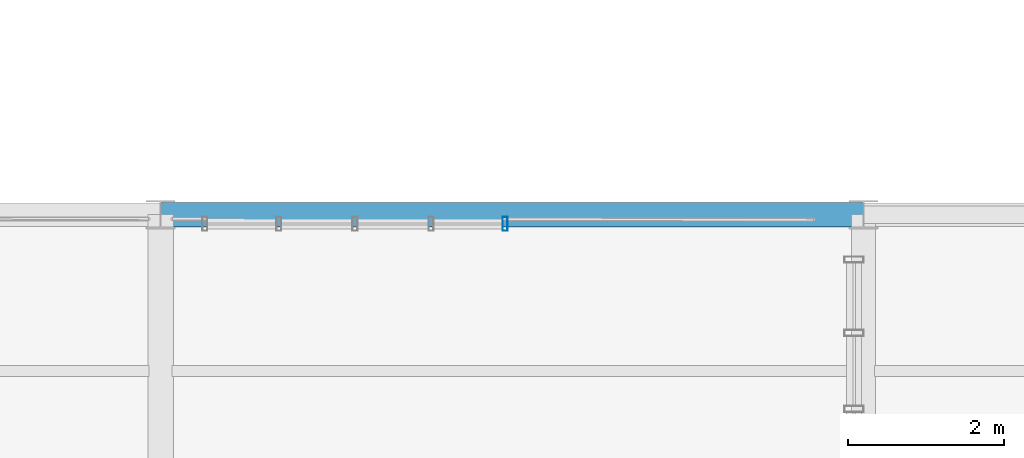
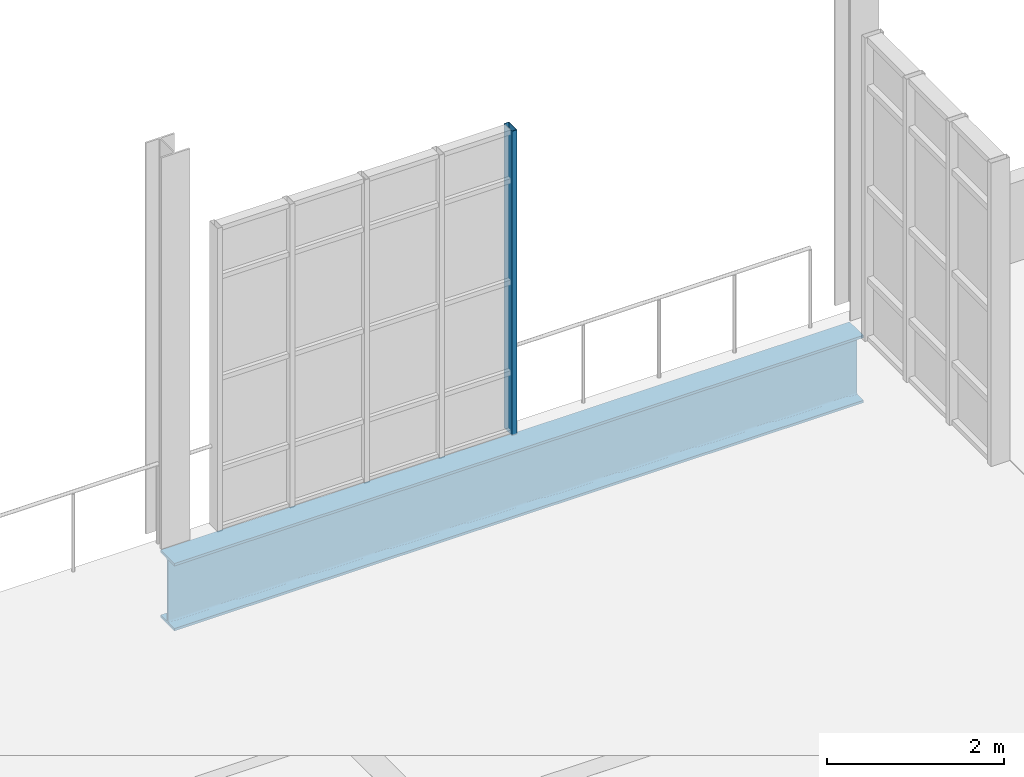
# One storey, part 85 of 142: 1 beam, 1 member, 1 element without a shape of its own.
"""IFC4 building model written with IfcOpenShell, lengths in metres."""

from ifc_helpers import new_model, si_unit, direction, frame, origin, origin_2d, place, context, subcontext, project, spatial, hollow_rectangle, i_section, extrude, material, layer, layer_set, material_profile, profile_set, type_object, element, aggregate, save


model = new_model("IFC4")

# Units and contexts
model_context = context("Model", 3, precision=1e-05, world=origin(), true_north=direction((0.0, 1.0)))
body_context = subcontext(model_context, "Body", "Model", "MODEL_VIEW")
ifc_project = project(units=[si_unit("LENGTHUNIT", "METRE"), si_unit("AREAUNIT", "SQUARE_METRE"), si_unit("VOLUMEUNIT", "CUBIC_METRE"), si_unit("PLANEANGLEUNIT", "RADIAN"), si_unit("MASSUNIT", "GRAM", prefix="KILO"), si_unit("THERMODYNAMICTEMPERATUREUNIT", "KELVIN"), si_unit("POWERUNIT", "WATT")], contexts=[model_context])

# Site, building, storey
site_placement = place(None, origin())
site = spatial("IfcSite", under=ifc_project, at=site_placement, CompositionType="ELEMENT")
building_placement = place(site_placement, origin())
building = spatial("IfcBuilding", under=site, at=building_placement, Name="Zelmaris Science Centre", CompositionType="ELEMENT")
storey_placement = place(building_placement, frame((0.0, 0.0, 5.39990234375)))
storey = spatial("IfcBuildingStorey", under=building, at=storey_placement, Name="L01", CompositionType="ELEMENT", Elevation=5.39990234375)

# Curtain wall, member
ifc_material_1 = material(Name="Anodised architectural aluminium 6063-T6", Category="aluminium")
ifc_layer = layer(ifc_material_1, 0.2099609375, Name="Anodised architectural aluminium 6063-T6")
ifc_layer_set = layer_set([ifc_layer], Name="Anodised architectural aluminium 6063-T6")
curtain_wall_type = type_object("IfcCurtainWallType", Name="Curtain Wall CW-03", PredefinedType="USERDEFINED", material=ifc_layer_set)
curtain_wall_placement = place(storey_placement, origin())
curtain_wall = element("IfcCurtainWall", 1, at=curtain_wall_placement, inside=storey, type_object=curtain_wall_type, Name="L01 Unitised curtain wall 147", ObjectType="GLAZED CURTAIN WALL", PredefinedType="USERDEFINED")
ifc_material_profile_1 = material_profile(ifc_material_1, hollow_rectangle(XDim=0.06494140625, YDim=0.179931640625, WallThickness=0.00390625, at=origin_2d()), Name="ALU-MUL-65X180")
ifc_profile_set_1 = profile_set([ifc_material_profile_1], Name="Anodised architectural aluminium 6063-T6")
member_type = type_object("IfcMemberType", Name="ALU-MUL-65X180", PredefinedType="MULLION", material=ifc_profile_set_1)
member_placement = place(storey_placement, frame((139.411376953125, 55.88232421875, -0.014892578125), z_axis=(0.0, 0.0, 1.0), x_axis=(0.99999988059, -0.000488692171, 0.0)))
member = element("IfcMember", 2, at=member_placement, type_object=member_type, Name="CW-03 mullion 5", PredefinedType="MULLION", context=body_context, shape_type="SweptSolid", body=[
    extrude(hollow_rectangle(XDim=0.06494140625, YDim=0.179931640625, WallThickness=0.00390625, at=origin_2d()), origin(), (0.0, 0.0, 1.0), 4.200927734375),
])
aggregate(curtain_wall, [member])

# Beam
ifc_material_2 = material(Name="Steel ASTM A992 Grade 50", Category="steel")
ifc_material_profile_2 = material_profile(ifc_material_2, i_section(OverallWidth=0.31005859375, OverallDepth=0.931884765625, WebThickness=0.02099609375, FlangeThickness=0.034423828125, FilletRadius=0.02392578125, at=origin_2d()), Name="W36X210")
ifc_profile_set_2 = profile_set([ifc_material_profile_2], Name="Steel ASTM A992 Grade 50")
beam_type = type_object("IfcBeamType", Name="Beam G-25 W36X210", PredefinedType="BEAM", material=ifc_profile_set_2)
beam_placement = place(storey_placement, frame((135.0, 56.0, -0.745849609375), z_axis=(1.0, 0.0, 0.0), x_axis=(0.0, 1.0, 0.0)))
element("IfcBeam", 3, at=beam_placement, inside=storey, type_object=beam_type, Name="L01 East-west girder 386", PredefinedType="BEAM", context=body_context, shape_type="SweptSolid", body=[
    extrude(i_section(OverallWidth=0.31005859375, OverallDepth=0.931884765625, WebThickness=0.02099609375, FlangeThickness=0.034423828125, FilletRadius=0.02392578125, at=origin_2d()), origin(), (0.0, 0.0, 1.0), 9.0),
])

save(model, "model.ifc")
